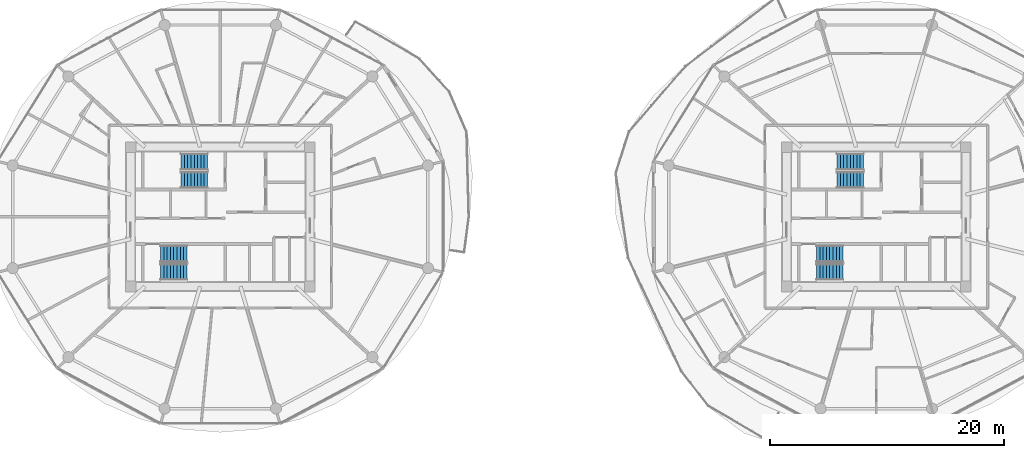
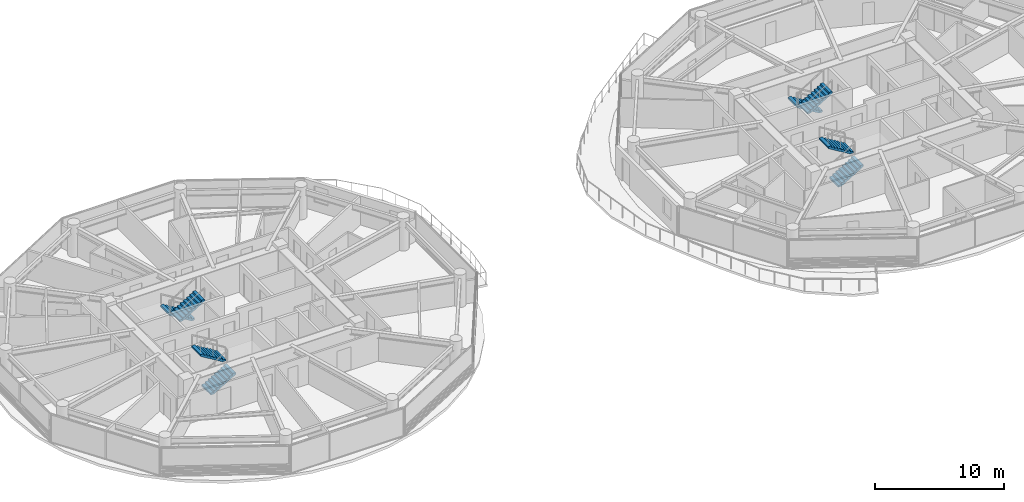
# One storey, part 21 of 26: 8 stair flights, 4 elements without a shape of their own.
"""IFC4 building model written with IfcOpenShell, lengths in metres."""

from ifc_helpers import new_model, si_unit, direction, frame, origin, place, context, subcontext, project, spatial, polyline, outline, extrude, material, type_object, element, aggregate, save


model = new_model("IFC4")

# Units and contexts
model_context = context("Model", 3, precision=1e-05, world=origin(), true_north=direction((0.0, 1.0)))
body_context = subcontext(model_context, "Body", "Model", "MODEL_VIEW")
ifc_project = project(units=[si_unit("LENGTHUNIT", "METRE"), si_unit("AREAUNIT", "SQUARE_METRE"), si_unit("VOLUMEUNIT", "CUBIC_METRE"), si_unit("PLANEANGLEUNIT", "RADIAN"), si_unit("MASSUNIT", "GRAM", prefix="KILO")], contexts=[model_context])

# Site, building, storey
site_placement = place(None, origin())
site = spatial("IfcSite", under=ifc_project, at=site_placement, CompositionType="ELEMENT")
building_placement = place(site_placement, origin())
building = spatial("IfcBuilding", under=site, at=building_placement, Name="Norrkilde Senior Care Towers", CompositionType="ELEMENT")
storey_placement = place(building_placement, frame((0.0, 0.0, 70.39990234375)))
storey = spatial("IfcBuildingStorey", under=building, at=storey_placement, Name="L21", CompositionType="ELEMENT", Elevation=70.39990234375)

# Stair, stair flights
ifc_material = material(Name="Concrete C45/55", Category="concrete")
stair_type = type_object("IfcStairType", Name="Core Protected Dogleg Stair Typical 3050", PredefinedType="HALF_TURN_STAIR", material=ifc_material)
stair_1_placement = place(storey_placement, origin())
stair_1 = element("IfcStair", 1, at=stair_1_placement, inside=storey, type_object=stair_type, Name="L21 Protected Core Stair W1", PredefinedType="HALF_TURN_STAIR")
stair_flight_type = type_object("IfcStairFlightType", Name="Core Protected Dogleg Stair Typical 3050 Flight", PredefinedType="STRAIGHT", material=ifc_material)
stair_flight_1_placement = place(storey_placement, frame((-29.10009765625, 4.699951171875, 0.0), z_axis=(0.0, 0.0, 1.0), x_axis=(-1.0, 0.0, 0.0)))
stair_flight_1 = element("IfcStairFlight", 2, at=stair_flight_1_placement, type_object=stair_flight_type, Name="ST-W1 flight 1", NumberOfRisers=9, NumberOfTreads=8, PredefinedType="STRAIGHT", RiserHeight=0.169444444, TreadLength=0.28, context=body_context, shape_type="SweptSolid", body=[
    extrude(outline(polyline([(0.0, 0.0), (0.0, 0.16943359375), (0.280029296875, 0.16943359375), (0.280029296875, 0.3388671875), (0.56005859375, 0.3388671875), (0.56005859375, 0.50830078125), (0.840087890625, 0.50830078125), (0.840087890625, 0.677734375), (1.1201171875, 0.677734375), (1.1201171875, 0.84716796875), (1.39990234375, 0.84716796875), (1.39990234375, 1.0166015625), (1.679931640625, 1.0166015625), (1.679931640625, 1.18603515625), (1.9599609375, 1.18603515625), (1.9599609375, 1.35546875), (2.239990234375, 1.35546875), (2.239990234375, 1.52490234375), (2.239990234375, 1.180419921875), (0.28955078125, 0.0), (0.0, 0.0)])), frame((0.0, 0.699951171875, 0.0), z_axis=(0.0, -1.0, 0.0), x_axis=(1.0, 0.0, 0.0)), (0.0, 0.0, 1.0), 1.39990234375),
])
stair_flight_2_placement = place(storey_placement, frame((-31.340087890625, 3.14990234375, 1.525146484375), z_axis=(0.0, 0.0, 1.0), x_axis=(1.0, 0.0, 0.0)))
stair_flight_2 = element("IfcStairFlight", 3, at=stair_flight_2_placement, type_object=stair_flight_type, Name="ST-W1 flight 2", NumberOfRisers=9, NumberOfTreads=8, PredefinedType="STRAIGHT", RiserHeight=0.169444444, TreadLength=0.28, context=body_context, shape_type="SweptSolid", body=[
    extrude(outline(polyline([(0.0, 0.0), (0.0, 0.16943359375), (0.280029296875, 0.16943359375), (0.280029296875, 0.3388671875), (0.56005859375, 0.3388671875), (0.56005859375, 0.50830078125), (0.840087890625, 0.50830078125), (0.840087890625, 0.677734375), (1.1201171875, 0.677734375), (1.1201171875, 0.84716796875), (1.39990234375, 0.84716796875), (1.39990234375, 1.0166015625), (1.679931640625, 1.0166015625), (1.679931640625, 1.18603515625), (1.9599609375, 1.18603515625), (1.9599609375, 1.35546875), (2.239990234375, 1.35546875), (2.239990234375, 1.52490234375), (2.239990234375, 1.180419921875), (0.28955078125, 0.0), (0.0, 0.0)])), frame((0.0, 0.699951171875, 0.0), z_axis=(0.0, -1.0, 0.0), x_axis=(1.0, 0.0, 0.0)), (0.0, 0.0, 1.0), 1.39990234375),
])
aggregate(stair_1, [stair_flight_1, stair_flight_2])

stair_2_placement = place(storey_placement, origin())
stair_2 = element("IfcStair", 4, at=stair_2_placement, inside=storey, type_object=stair_type, Name="L21 Protected Core Stair W2", PredefinedType="HALF_TURN_STAIR")
stair_flight_3_placement = place(storey_placement, frame((-33.10009765625, -4.699951171875, 0.0), z_axis=(0.0, 0.0, 1.0), x_axis=(1.0, 0.0, 0.0)))
stair_flight_3 = element("IfcStairFlight", 5, at=stair_flight_3_placement, type_object=stair_flight_type, Name="ST-W2 flight 1", NumberOfRisers=9, NumberOfTreads=8, PredefinedType="STRAIGHT", RiserHeight=0.169444444, TreadLength=0.28, context=body_context, shape_type="SweptSolid", body=[
    extrude(outline(polyline([(0.0, 0.0), (0.0, 0.16943359375), (0.280029296875, 0.16943359375), (0.280029296875, 0.3388671875), (0.56005859375, 0.3388671875), (0.56005859375, 0.50830078125), (0.840087890625, 0.50830078125), (0.840087890625, 0.677734375), (1.1201171875, 0.677734375), (1.1201171875, 0.84716796875), (1.39990234375, 0.84716796875), (1.39990234375, 1.0166015625), (1.679931640625, 1.0166015625), (1.679931640625, 1.18603515625), (1.9599609375, 1.18603515625), (1.9599609375, 1.35546875), (2.239990234375, 1.35546875), (2.239990234375, 1.52490234375), (2.239990234375, 1.180419921875), (0.28955078125, 0.0), (0.0, 0.0)])), frame((0.0, 0.699951171875, 0.0), z_axis=(0.0, -1.0, 0.0), x_axis=(1.0, 0.0, 0.0)), (0.0, 0.0, 1.0), 1.39990234375),
])
stair_flight_4_placement = place(storey_placement, frame((-30.860107421875, -3.14990234375, 1.525146484375), z_axis=(0.0, 0.0, 1.0), x_axis=(-1.0, 0.0, 0.0)))
stair_flight_4 = element("IfcStairFlight", 6, at=stair_flight_4_placement, type_object=stair_flight_type, Name="ST-W2 flight 2", NumberOfRisers=9, NumberOfTreads=8, PredefinedType="STRAIGHT", RiserHeight=0.169444444, TreadLength=0.28, context=body_context, shape_type="SweptSolid", body=[
    extrude(outline(polyline([(0.0, 0.0), (0.0, 0.16943359375), (0.280029296875, 0.16943359375), (0.280029296875, 0.3388671875), (0.56005859375, 0.3388671875), (0.56005859375, 0.50830078125), (0.840087890625, 0.50830078125), (0.840087890625, 0.677734375), (1.1201171875, 0.677734375), (1.1201171875, 0.84716796875), (1.39990234375, 0.84716796875), (1.39990234375, 1.0166015625), (1.679931640625, 1.0166015625), (1.679931640625, 1.18603515625), (1.9599609375, 1.18603515625), (1.9599609375, 1.35546875), (2.239990234375, 1.35546875), (2.239990234375, 1.52490234375), (2.239990234375, 1.180419921875), (0.28955078125, 0.0), (0.0, 0.0)])), frame((0.0, 0.699951171875, 0.0), z_axis=(0.0, -1.0, 0.0), x_axis=(1.0, 0.0, 0.0)), (0.0, 0.0, 1.0), 1.39990234375),
])
aggregate(stair_2, [stair_flight_3, stair_flight_4])

stair_3_placement = place(storey_placement, origin())
stair_3 = element("IfcStair", 7, at=stair_3_placement, inside=storey, type_object=stair_type, Name="L21 Protected Core Stair E1", PredefinedType="HALF_TURN_STAIR")
stair_flight_5_placement = place(storey_placement, frame((26.89990234375, 4.699951171875, 0.0), z_axis=(0.0, 0.0, 1.0), x_axis=(-1.0, 0.0, 0.0)))
stair_flight_5 = element("IfcStairFlight", 8, at=stair_flight_5_placement, type_object=stair_flight_type, Name="ST-E1 flight 1", NumberOfRisers=9, NumberOfTreads=8, PredefinedType="STRAIGHT", RiserHeight=0.169444444, TreadLength=0.28, context=body_context, shape_type="SweptSolid", body=[
    extrude(outline(polyline([(0.0, 0.0), (0.0, 0.16943359375), (0.280029296875, 0.16943359375), (0.280029296875, 0.3388671875), (0.56005859375, 0.3388671875), (0.56005859375, 0.50830078125), (0.840087890625, 0.50830078125), (0.840087890625, 0.677734375), (1.1201171875, 0.677734375), (1.1201171875, 0.84716796875), (1.39990234375, 0.84716796875), (1.39990234375, 1.0166015625), (1.679931640625, 1.0166015625), (1.679931640625, 1.18603515625), (1.9599609375, 1.18603515625), (1.9599609375, 1.35546875), (2.239990234375, 1.35546875), (2.239990234375, 1.52490234375), (2.239990234375, 1.180419921875), (0.28955078125, 0.0), (0.0, 0.0)])), frame((0.0, 0.699951171875, 0.0), z_axis=(0.0, -1.0, 0.0), x_axis=(1.0, 0.0, 0.0)), (0.0, 0.0, 1.0), 1.39990234375),
])
stair_flight_6_placement = place(storey_placement, frame((24.659912109375, 3.14990234375, 1.525146484375), z_axis=(0.0, 0.0, 1.0), x_axis=(1.0, 0.0, 0.0)))
stair_flight_6 = element("IfcStairFlight", 9, at=stair_flight_6_placement, type_object=stair_flight_type, Name="ST-E1 flight 2", NumberOfRisers=9, NumberOfTreads=8, PredefinedType="STRAIGHT", RiserHeight=0.169444444, TreadLength=0.28, context=body_context, shape_type="SweptSolid", body=[
    extrude(outline(polyline([(0.0, 0.0), (0.0, 0.16943359375), (0.280029296875, 0.16943359375), (0.280029296875, 0.3388671875), (0.56005859375, 0.3388671875), (0.56005859375, 0.50830078125), (0.840087890625, 0.50830078125), (0.840087890625, 0.677734375), (1.1201171875, 0.677734375), (1.1201171875, 0.84716796875), (1.39990234375, 0.84716796875), (1.39990234375, 1.0166015625), (1.679931640625, 1.0166015625), (1.679931640625, 1.18603515625), (1.9599609375, 1.18603515625), (1.9599609375, 1.35546875), (2.239990234375, 1.35546875), (2.239990234375, 1.52490234375), (2.239990234375, 1.180419921875), (0.28955078125, 0.0), (0.0, 0.0)])), frame((0.0, 0.699951171875, 0.0), z_axis=(0.0, -1.0, 0.0), x_axis=(1.0, 0.0, 0.0)), (0.0, 0.0, 1.0), 1.39990234375),
])
aggregate(stair_3, [stair_flight_5, stair_flight_6])

stair_4_placement = place(storey_placement, origin())
stair_4 = element("IfcStair", 10, at=stair_4_placement, inside=storey, type_object=stair_type, Name="L21 Protected Core Stair E2", PredefinedType="HALF_TURN_STAIR")
stair_flight_7_placement = place(storey_placement, frame((22.89990234375, -4.699951171875, 0.0), z_axis=(0.0, 0.0, 1.0), x_axis=(1.0, 0.0, 0.0)))
stair_flight_7 = element("IfcStairFlight", 11, at=stair_flight_7_placement, type_object=stair_flight_type, Name="ST-E2 flight 1", NumberOfRisers=9, NumberOfTreads=8, PredefinedType="STRAIGHT", RiserHeight=0.169444444, TreadLength=0.28, context=body_context, shape_type="SweptSolid", body=[
    extrude(outline(polyline([(0.0, 0.0), (0.0, 0.16943359375), (0.280029296875, 0.16943359375), (0.280029296875, 0.3388671875), (0.56005859375, 0.3388671875), (0.56005859375, 0.50830078125), (0.840087890625, 0.50830078125), (0.840087890625, 0.677734375), (1.1201171875, 0.677734375), (1.1201171875, 0.84716796875), (1.39990234375, 0.84716796875), (1.39990234375, 1.0166015625), (1.679931640625, 1.0166015625), (1.679931640625, 1.18603515625), (1.9599609375, 1.18603515625), (1.9599609375, 1.35546875), (2.239990234375, 1.35546875), (2.239990234375, 1.52490234375), (2.239990234375, 1.180419921875), (0.28955078125, 0.0), (0.0, 0.0)])), frame((0.0, 0.699951171875, 0.0), z_axis=(0.0, -1.0, 0.0), x_axis=(1.0, 0.0, 0.0)), (0.0, 0.0, 1.0), 1.39990234375),
])
stair_flight_8_placement = place(storey_placement, frame((25.139892578125, -3.14990234375, 1.525146484375), z_axis=(0.0, 0.0, 1.0), x_axis=(-1.0, 0.0, 0.0)))
stair_flight_8 = element("IfcStairFlight", 12, at=stair_flight_8_placement, type_object=stair_flight_type, Name="ST-E2 flight 2", NumberOfRisers=9, NumberOfTreads=8, PredefinedType="STRAIGHT", RiserHeight=0.169444444, TreadLength=0.28, context=body_context, shape_type="SweptSolid", body=[
    extrude(outline(polyline([(0.0, 0.0), (0.0, 0.16943359375), (0.280029296875, 0.16943359375), (0.280029296875, 0.3388671875), (0.56005859375, 0.3388671875), (0.56005859375, 0.50830078125), (0.840087890625, 0.50830078125), (0.840087890625, 0.677734375), (1.1201171875, 0.677734375), (1.1201171875, 0.84716796875), (1.39990234375, 0.84716796875), (1.39990234375, 1.0166015625), (1.679931640625, 1.0166015625), (1.679931640625, 1.18603515625), (1.9599609375, 1.18603515625), (1.9599609375, 1.35546875), (2.239990234375, 1.35546875), (2.239990234375, 1.52490234375), (2.239990234375, 1.180419921875), (0.28955078125, 0.0), (0.0, 0.0)])), frame((0.0, 0.699951171875, 0.0), z_axis=(0.0, -1.0, 0.0), x_axis=(1.0, 0.0, 0.0)), (0.0, 0.0, 1.0), 1.39990234375),
])
aggregate(stair_4, [stair_flight_7, stair_flight_8])

save(model, "model.ifc")
